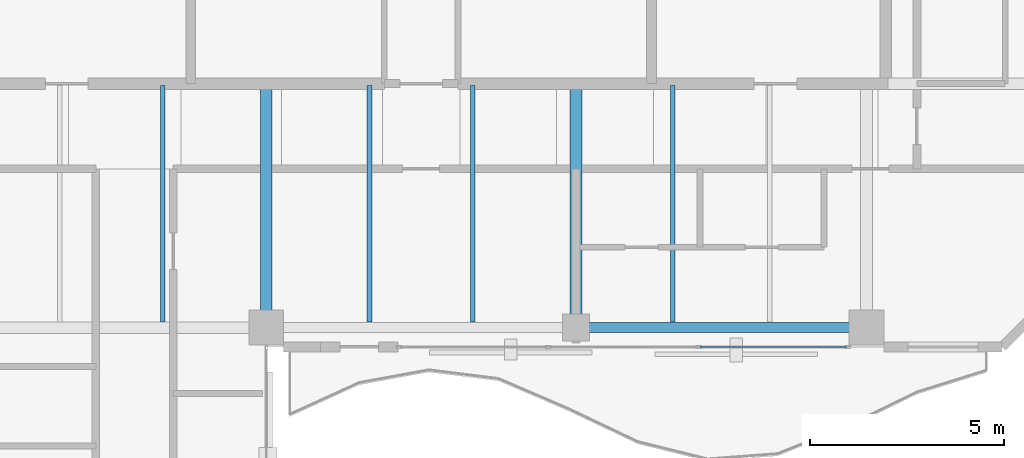
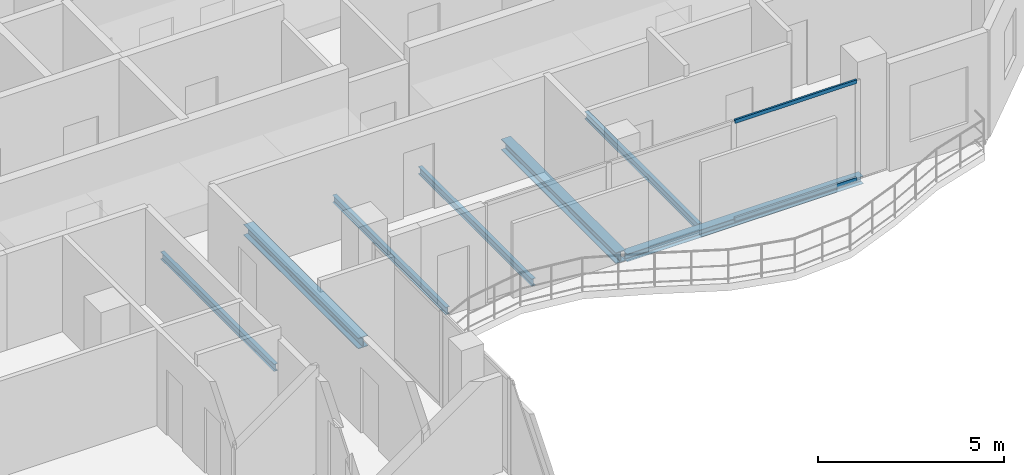
# One storey, part 13 of 22: 7 beams, 2 members, 1 element without a shape of its own.
"""IFC4 building model written with IfcOpenShell, lengths in metres."""

from ifc_helpers import new_model, si_unit, direction, frame, origin, origin_2d, place, context, subcontext, project, spatial, hollow_rectangle, i_section, extrude, material, layer, layer_set, material_profile, profile_set, type_object, element, aggregate, save


model = new_model("IFC4")

# Units and contexts
model_context = context("Model", 3, precision=1e-05, world=origin(), true_north=direction((0.0, 1.0)))
body_context = subcontext(model_context, "Body", "Model", "MODEL_VIEW")
ifc_project = project(units=[si_unit("LENGTHUNIT", "METRE"), si_unit("AREAUNIT", "SQUARE_METRE"), si_unit("VOLUMEUNIT", "CUBIC_METRE"), si_unit("PLANEANGLEUNIT", "RADIAN"), si_unit("MASSUNIT", "GRAM", prefix="KILO")], contexts=[model_context])

# Site, building, storey
site_placement = place(None, origin())
site = spatial("IfcSite", under=ifc_project, at=site_placement, CompositionType="ELEMENT")
building_placement = place(site_placement, origin())
building = spatial("IfcBuilding", under=site, at=building_placement, Name="Catumbela Crestline Tower", CompositionType="ELEMENT")
storey_placement = place(building_placement, frame((0.0, 0.0, 256.4)))
storey = spatial("IfcBuildingStorey", under=building, at=storey_placement, Name="L66", CompositionType="ELEMENT", Elevation=256.4)

# Beams
ifc_material_1 = material(Name="Structural steel S355J2", Category="steel")
ifc_material_profile_1 = material_profile(ifc_material_1, i_section(OverallWidth=0.3, OverallDepth=0.36, WebThickness=0.0125, FlangeThickness=0.0225, FilletRadius=0.027, at=origin_2d()), Name="HEB 360")
ifc_profile_set_1 = profile_set([ifc_material_profile_1], Name="Structural steel S355J2")
beam_type_1 = type_object("IfcBeamType", Name="BG-HEB360", PredefinedType="BEAM", material=ifc_profile_set_1)
for number, where, z_axis, x_axis, name in (
    (1, (24.0, 24.58, -0.44), (0.0, 1.0, 0.0), (-1.0, 0.0, 0.0), "L66 Beam BM-L66-SNS16"),
    (2, (32.0, 24.58, -0.44), (0.0, 1.0, 0.0), (-1.0, 0.0, 0.0), "L66 Beam BM-L66-SNS17"),
):
    element("IfcBeam", number, at=place(storey_placement, frame(where, z_axis=z_axis, x_axis=x_axis)), inside=storey, type_object=beam_type_1, Name=name, PredefinedType="BEAM", context=body_context, shape_type="SweptSolid", body=[
        extrude(i_section(OverallWidth=0.3, OverallDepth=0.36, WebThickness=0.0125, FlangeThickness=0.0225, FilletRadius=0.027, at=origin_2d()), origin(), (0.0, 0.0, 1.0), 6.17),
    ])
ifc_material_profile_2 = material_profile(ifc_material_1, i_section(OverallWidth=0.12, OverallDepth=0.24, WebThickness=0.0062, FlangeThickness=0.0098, FilletRadius=0.015, at=origin_2d()), Name="IPE 240")
ifc_profile_set_2 = profile_set([ifc_material_profile_2], Name="Structural steel S355J2")
beam_type_2 = type_object("IfcBeamType", Name="BJ-IPE240", PredefinedType="JOIST", material=ifc_profile_set_2)
for number, where, z_axis, x_axis, name in (
    (3, (21.333, 24.647, -0.38), (0.0, 1.0, 0.0), (-1.0, 0.0, 0.0), "L66 Joist JS-L66-SP22"),
    (4, (26.667, 24.647, -0.38), (0.0, 1.0, 0.0), (-1.0, 0.0, 0.0), "L66 Joist JS-L66-SP23"),
    (5, (29.333, 24.647, -0.38), (0.0, 1.0, 0.0), (-1.0, 0.0, 0.0), "L66 Joist JS-L66-SP24"),
    (6, (34.5, 24.647, -0.38), (0.0, 1.0, 0.0), (-1.0, 0.0, 0.0), "L66 Joist JS-L66-SP25"),
):
    element("IfcBeam", number, at=place(storey_placement, frame(where, z_axis=z_axis, x_axis=x_axis)), inside=storey, type_object=beam_type_2, Name=name, PredefinedType="JOIST", context=body_context, shape_type="SweptSolid", body=[
        extrude(i_section(OverallWidth=0.12, OverallDepth=0.24, WebThickness=0.0062, FlangeThickness=0.0098, FilletRadius=0.015, at=origin_2d()), origin(), (0.0, 0.0, 1.0), 6.103),
    ])
ifc_material_profile_3 = material_profile(ifc_material_1, i_section(OverallWidth=0.26, OverallDepth=0.25, WebThickness=0.0075, FlangeThickness=0.0125, FilletRadius=0.024, at=origin_2d()), Name="HEA 260")
ifc_profile_set_3 = profile_set([ifc_material_profile_3], Name="Structural steel S355J2")
beam_type_3 = type_object("IfcBeamType", Name="BS-HEA260", PredefinedType="SPANDREL", material=ifc_profile_set_3)
beam_placement = place(storey_placement, frame((32.08, 24.5, -0.385), z_axis=(1.0, 0.0, 0.0), x_axis=(0.0, 1.0, 0.0)))
element("IfcBeam", 7, at=beam_placement, inside=storey, type_object=beam_type_3, Name="L66 Spandrel SP-L66-S05", PredefinedType="SPANDREL", context=body_context, shape_type="SweptSolid", body=[
    extrude(i_section(OverallWidth=0.26, OverallDepth=0.25, WebThickness=0.0075, FlangeThickness=0.0125, FilletRadius=0.024, at=origin_2d()), origin(), (0.0, 0.0, 1.0), 7.34),
])

# Curtain wall, members
ifc_material_2 = material(Name="Aluminium alloy AW-6060-T66", Category="aluminium")
ifc_layer = layer(ifc_material_2, 0.18, Name="Aluminium alloy AW-6060-T66")
ifc_layer_set = layer_set([ifc_layer], Name="Aluminium alloy AW-6060-T66")
curtain_wall_type = type_object("IfcCurtainWallType", Name="CWU-Z4", PredefinedType="USERDEFINED", material=ifc_layer_set)
curtain_wall_placement = place(storey_placement, origin())
curtain_wall = element("IfcCurtainWall", 8, at=curtain_wall_placement, inside=storey, type_object=curtain_wall_type, Name="L66 Unitised Curtain Wall CW-L66-E3S2", ObjectType="UNITISED", PredefinedType="USERDEFINED")
ifc_material_profile_4 = material_profile(ifc_material_2, hollow_rectangle(XDim=0.06, YDim=0.12, WallThickness=0.0035, at=origin_2d()), Name="ALU 120x60x3.5")
ifc_profile_set_4 = profile_set([ifc_material_profile_4], Name="Aluminium alloy AW-6060-T66")
member_type = type_object("IfcMemberType", Name="TRN-120X60", PredefinedType="USERDEFINED", material=ifc_profile_set_4)
member_1_placement = place(storey_placement, frame((35.1992, 24.0, 0.03), z_axis=(1.0, 0.0, 0.0), x_axis=(0.0, 1.0, 0.0)))
member_1 = element("IfcMember", 9, at=member_1_placement, type_object=member_type, Name="CWU-Z4 transom 3.1", ObjectType="TRANSOM", PredefinedType="USERDEFINED", context=body_context, shape_type="SweptSolid", body=[
    extrude(hollow_rectangle(XDim=0.06, YDim=0.12, WallThickness=0.0035, at=origin_2d()), origin(), (0.0, 0.0, 1.0), 3.7858),
])
member_2_placement = place(storey_placement, frame((35.1992, 24.0, 3.24), z_axis=(1.0, 0.0, 0.0), x_axis=(0.0, 1.0, 0.0)))
member_2 = element("IfcMember", 10, at=member_2_placement, type_object=member_type, Name="CWU-Z4 transom 3.2", ObjectType="TRANSOM", PredefinedType="USERDEFINED", context=body_context, shape_type="SweptSolid", body=[
    extrude(hollow_rectangle(XDim=0.06, YDim=0.12, WallThickness=0.0035, at=origin_2d()), origin(), (0.0, 0.0, 1.0), 3.7858),
])
aggregate(curtain_wall, [member_1, member_2])

save(model, "model.ifc")
